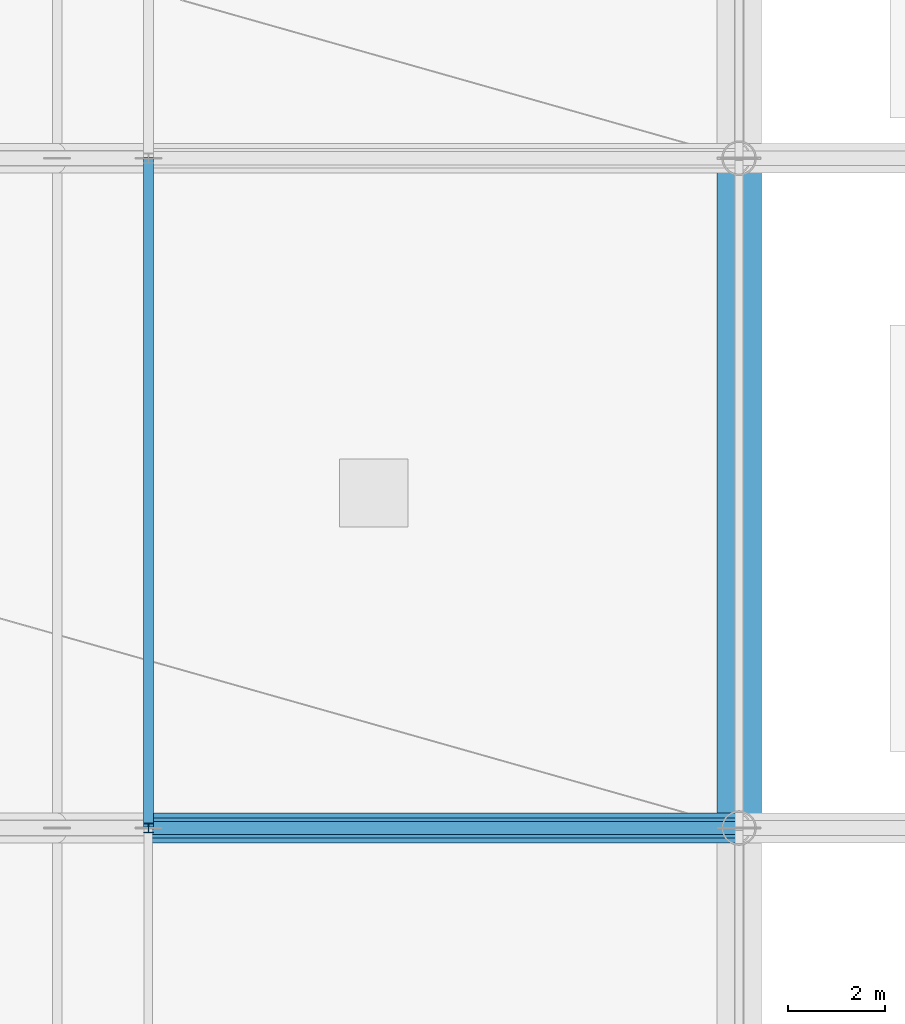
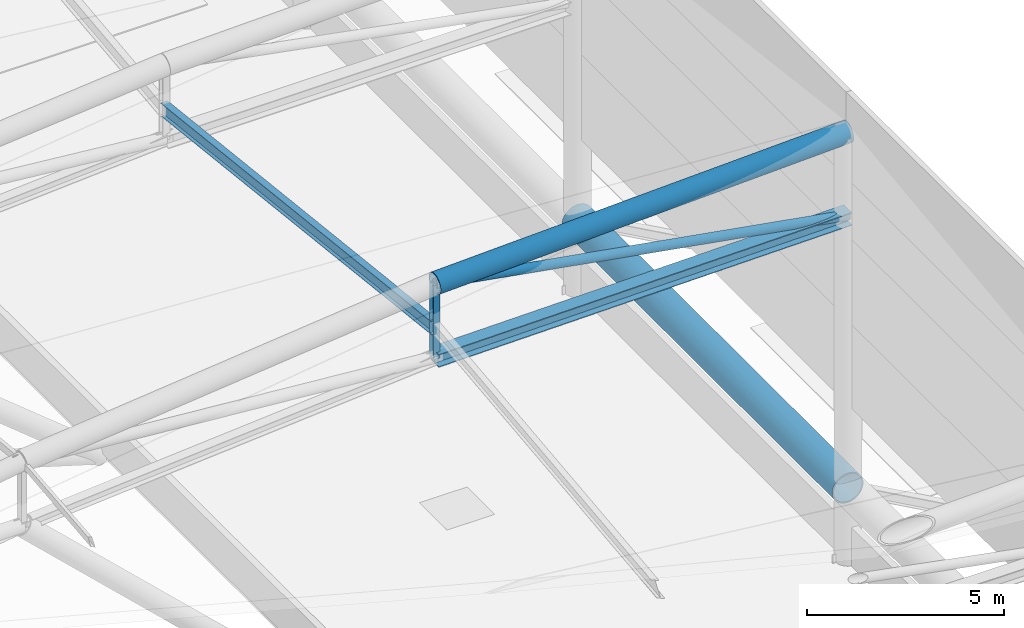
# One storey, part 38 of 113: 5 members, 1 beam.
"""IFC4 building model written with IfcOpenShell, lengths in metres."""

from ifc_helpers import new_model, si_unit, direction, frame, origin, origin_2d, place, context, subcontext, project, spatial, hollow_circle, i_section, extrude, material, material_profile, profile_set, type_object, element, save


model = new_model("IFC4")

# Units and contexts
model_context = context("Model", 3, precision=1e-05, world=origin(), true_north=direction((0.0, 1.0)))
body_context = subcontext(model_context, "Body", "Model", "MODEL_VIEW")
ifc_project = project(units=[si_unit("LENGTHUNIT", "METRE"), si_unit("AREAUNIT", "SQUARE_METRE"), si_unit("VOLUMEUNIT", "CUBIC_METRE"), si_unit("PLANEANGLEUNIT", "RADIAN"), si_unit("MASSUNIT", "GRAM", prefix="KILO")], contexts=[model_context])

# Site, building, storey
site_placement = place(None, origin())
site = spatial("IfcSite", under=ifc_project, at=site_placement, CompositionType="ELEMENT")
building_placement = place(site_placement, origin())
building = spatial("IfcBuilding", under=site, at=building_placement, Name="Linyun Crest Stadium", CompositionType="ELEMENT")
storey_placement = place(building_placement, frame((0.0, 0.0, 26.39990234375)))
storey = spatial("IfcBuildingStorey", under=building, at=storey_placement, Name="L06", CompositionType="ELEMENT", Elevation=26.39990234375)

# Beam
ifc_material_1 = material(Name="Steel Q420C", Category="steel")
ifc_material_profile_1 = material_profile(ifc_material_1, hollow_circle(Radius=0.45703125, WallThickness=0.0380859375, at=origin_2d()), Name="CHS 914x38")
ifc_profile_set_1 = profile_set([ifc_material_profile_1], Name="Steel Q420C")
beam_type = type_object("IfcBeamType", Name="HB02", PredefinedType="USERDEFINED", material=ifc_profile_set_1)
beam_placement = place(storey_placement, frame((84.0, -25.375, 2.18505859375), z_axis=(0.0, 1.0, 0.0), x_axis=(-1.0, 0.0, 0.0)))
element("IfcBeam", 1, at=beam_placement, inside=storey, type_object=beam_type, Name="Roof Outer compression ring beam HB02 V2 20", ObjectType="RING BEAM", PredefinedType="USERDEFINED", context=body_context, shape_type="SweptSolid", body=[
    extrude(hollow_circle(Radius=0.45703125, WallThickness=0.0380859375, at=origin_2d()), origin(), (0.0, 0.0, 1.0), 13.75),
])

# Members
ifc_material_2 = material(Name="Steel Q355B", Category="steel")
ifc_material_profile_2 = material_profile(ifc_material_2, i_section(OverallWidth=0.199951171875, OverallDepth=0.39990234375, WebThickness=0.008056640625, FlangeThickness=0.012939453125, at=origin_2d()), Name="HN 400x200")
ifc_profile_set_2 = profile_set([ifc_material_profile_2], Name="Steel Q355B")
member_type_1 = type_object("IfcMemberType", Name="PR03", PredefinedType="PURLIN", material=ifc_profile_set_2)
member_1_placement = place(storey_placement, frame((71.875, -25.375, 11.416015625), z_axis=(0.0, 0.993690086648, -0.112160651293), x_axis=(-1.0, 0.0, 0.0)))
element("IfcMember", 2, at=member_1_placement, inside=storey, type_object=member_type_1, Name="Roof canopy purlin PR03 V2 341", PredefinedType="PURLIN", context=body_context, shape_type="SweptSolid", body=[
    extrude(i_section(OverallWidth=0.199951171875, OverallDepth=0.39990234375, WebThickness=0.008056640625, FlangeThickness=0.012939453125, at=origin_2d()), origin(), (0.0, 0.0, 1.0), 13.83740234375),
])
ifc_material_3 = material(Name="Steel Q420C", Category="steel")
ifc_material_profile_3 = material_profile(ifc_material_3, hollow_circle(Radius=0.304931640625, WallThickness=0.030029296875, at=origin_2d()), Name="CHS 610x30")
ifc_profile_set_3 = profile_set([ifc_material_profile_3], Name="Steel Q420C")
member_type_2 = type_object("IfcMemberType", Name="TC02", PredefinedType="CHORD", material=ifc_profile_set_3)
member_2_placement = place(storey_placement, frame((84.0, -25.375, 13.25), z_axis=(-0.999237147613, 0.0, -0.039052821028), x_axis=(0.0, -1.0, 0.0)))
element("IfcMember", 3, at=member_2_placement, inside=storey, type_object=member_type_2, Name="Roof truss top chord TC02 V2 221", PredefinedType="CHORD", context=body_context, shape_type="SweptSolid", body=[
    extrude(hollow_circle(Radius=0.304931640625, WallThickness=0.030029296875, at=origin_2d()), origin(), (0.0, 0.0, 1.0), 12.13427734375),
])
ifc_material_4 = material(Name="Steel Q420C", Category="steel")
ifc_material_profile_4 = material_profile(ifc_material_4, i_section(OverallWidth=0.407958984375, OverallDepth=0.39990234375, WebThickness=0.02099609375, FlangeThickness=0.02099609375, at=origin_2d()), Name="HW 400x408")
ifc_profile_set_4 = profile_set([ifc_material_profile_4], Name="Steel Q420C")
member_type_3 = type_object("IfcMemberType", Name="TC04", PredefinedType="CHORD", material=ifc_profile_set_4)
member_3_placement = place(storey_placement, frame((84.0, -25.375, 10.650146484375), z_axis=(-0.999910635598, 0.0, -0.013368650573), x_axis=(0.0, -1.0, 0.0)))
element("IfcMember", 4, at=member_3_placement, inside=storey, type_object=member_type_3, Name="Roof truss bottom chord TC04 V2 222", PredefinedType="CHORD", context=body_context, shape_type="SweptSolid", body=[
    extrude(i_section(OverallWidth=0.407958984375, OverallDepth=0.39990234375, WebThickness=0.02099609375, FlangeThickness=0.02099609375, at=origin_2d()), origin(), (0.0, 0.0, 1.0), 12.1259765625),
])
ifc_material_5 = material(Name="Steel Q355C", Category="steel")
ifc_material_profile_5 = material_profile(ifc_material_5, hollow_circle(Radius=0.136474609375, WallThickness=0.013916015625, at=origin_2d()), Name="CHS 273x14")
ifc_profile_set_5 = profile_set([ifc_material_profile_5], Name="Steel Q355C")
member_type_4 = type_object("IfcMemberType", Name="TD01", PredefinedType="BRACE", material=ifc_profile_set_5)
member_4_placement = place(storey_placement, frame((84.0, -25.375, 10.650146484375), z_axis=(-0.98497383844, 0.0, 0.172703611975), x_axis=(0.0, -1.0, 0.0)))
element("IfcMember", 5, at=member_4_placement, inside=storey, type_object=member_type_4, Name="Roof truss diagonal TD01 V2 223", PredefinedType="BRACE", context=body_context, shape_type="SweptSolid", body=[
    extrude(hollow_circle(Radius=0.136474609375, WallThickness=0.013916015625, at=origin_2d()), origin(), (0.0, 0.0, 1.0), 12.31005859375),
])
ifc_material_6 = material(Name="Steel Q355C", Category="steel")
ifc_material_profile_6 = material_profile(ifc_material_6, i_section(OverallWidth=0.199951171875, OverallDepth=0.199951171875, WebThickness=0.008056640625, FlangeThickness=0.011962890625, at=origin_2d()), Name="HW 200x200")
ifc_profile_set_6 = profile_set([ifc_material_profile_6], Name="Steel Q355C")
member_type_5 = type_object("IfcMemberType", Name="TV02", PredefinedType="STRUT", material=ifc_profile_set_6)
member_5_placement = place(storey_placement, frame((71.875, -25.375, 10.488037109375), z_axis=(0.0, 0.0, 1.0), x_axis=(1.0, 0.0, 0.0)))
element("IfcMember", 6, at=member_5_placement, inside=storey, type_object=member_type_5, Name="Roof vertical strut TV02 V2 227", PredefinedType="STRUT", context=body_context, shape_type="SweptSolid", body=[
    extrude(i_section(OverallWidth=0.199951171875, OverallDepth=0.199951171875, WebThickness=0.008056640625, FlangeThickness=0.011962890625, at=origin_2d()), origin(), (0.0, 0.0, 1.0), 2.2880859375),
])

save(model, "model.ifc")
